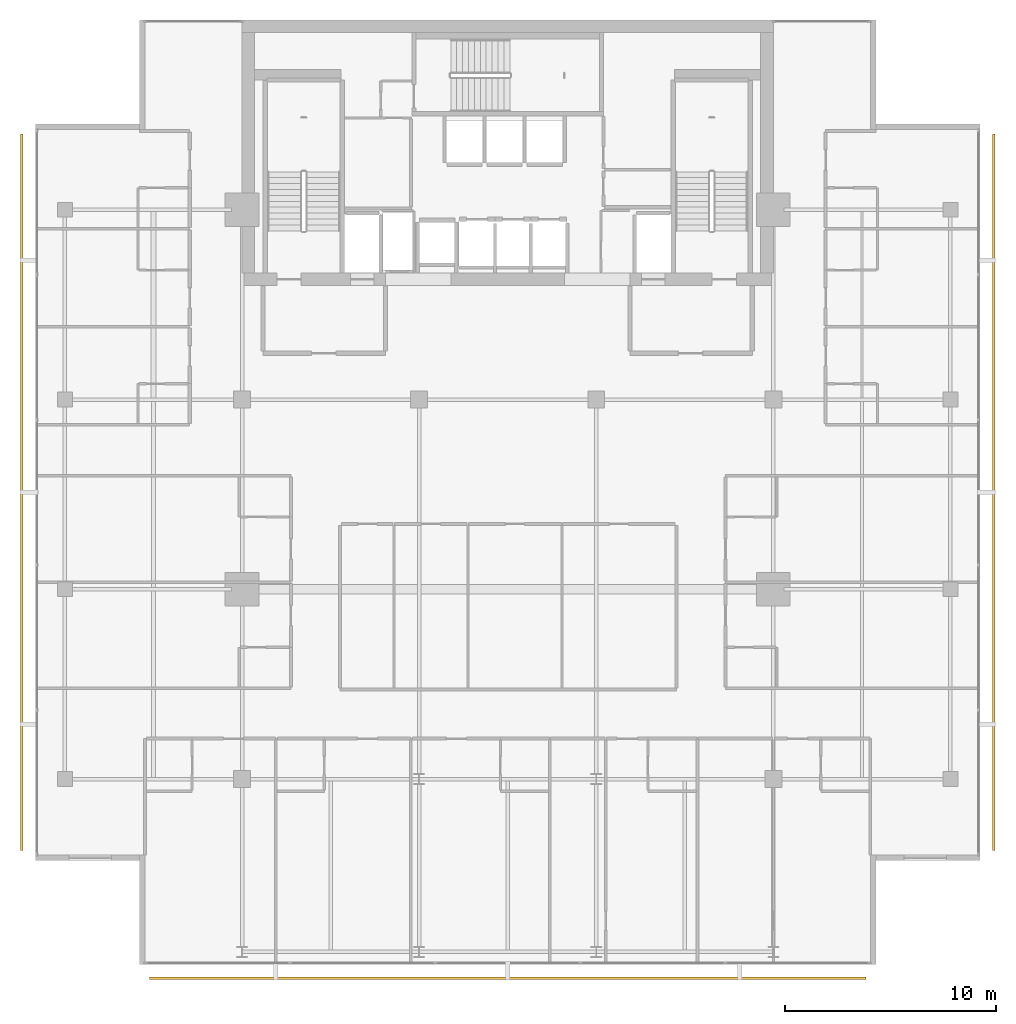
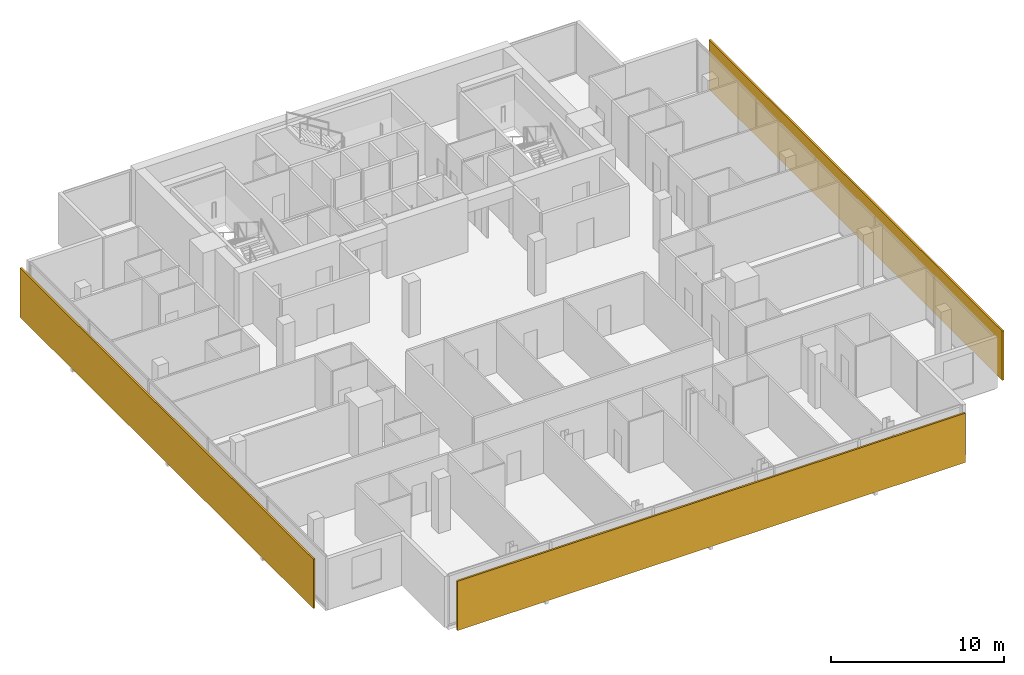
# One storey, part 25 of 26: 3 shading devices.
"""IFC4 building model written with IfcOpenShell, lengths in metres."""

import ifcopenshell
import ifcopenshell.guid

model = None  # the IFC model being written
_history = None  # IfcOwnerHistory: only IFC2X3 demands one
_inside = {}  # id of a spatial element -> (the spatial element, [elements in it])
_under = {}  # id of a project, library or spatial element -> (it, [spatial elements below it])
_declared = {}  # id of a project -> (the project, [libraries it declares])
_typed = {}  # id of a type object -> (the type object, [elements of that type])
_made_of = {}  # id of a material, layer set ... -> (it, [elements and type objects made of it])


def new_model(schema):
    """Start an empty IFC model of exactly this schema.

    Asked for "IFC4X3", IfcOpenShell would pick the latest addendum, in which some entities
    have other attributes; the version numbers below select the first issue.
    IFC2X3 requires an IfcOwnerHistory on every rooted entity: one is made here for all.
    """
    global model, _history
    if schema == "IFC4X3":
        model = ifcopenshell.file(schema_version=(4, 3, 0, 0))
    else:
        model = ifcopenshell.file(schema=schema)
    _inside.clear()
    _under.clear()
    _declared.clear()
    _typed.clear()
    _made_of.clear()
    _history = None
    if model.schema == "IFC2X3":
        org = make("IfcOrganization", Name="unknown")
        user = make(
            "IfcPersonAndOrganization",
            ThePerson=make("IfcPerson", FamilyName="unknown"),
            TheOrganization=org,
        )
        app = make(
            "IfcApplication",
            ApplicationDeveloper=org,
            Version="unknown",
            ApplicationFullName="unknown",
            ApplicationIdentifier="unknown",
        )
        _history = make(
            "IfcOwnerHistory",
            OwningUser=user,
            OwningApplication=app,
            ChangeAction="ADDED",
            CreationDate=0,
        )
    return model


def make(cls, **values):
    """One entity of the class cls with the attributes given. An attribute that is None is left unset."""
    return model.create_entity(
        cls, **{name: value for name, value in values.items() if value is not None}
    )


def rooted(cls, **values):
    """An entity with a GlobalId (a new one), such as an element, a storey or a relation."""
    return make(cls, GlobalId=ifcopenshell.guid.new(), OwnerHistory=_history, **values)


def si_unit(unit_type, name, prefix=None):
    """IfcSIUnit, for example si_unit("LENGTHUNIT", "METRE", prefix="MILLI")."""
    return make("IfcSIUnit", UnitType=unit_type, Prefix=prefix, Name=name)


def assignment(units):
    """IfcUnitAssignment: the units of a project."""
    return None if units is None else make("IfcUnitAssignment", Units=units)


def point(xyz):
    """IfcCartesianPoint."""
    return None if xyz is None else make("IfcCartesianPoint", Coordinates=xyz)


def direction(xyz):
    """IfcDirection."""
    return None if xyz is None else make("IfcDirection", DirectionRatios=xyz)


def frame(location, z_axis=None, x_axis=None):
    """IfcAxis2Placement3D, a coordinate frame: its origin and axes. An axis left out is left unset."""
    return make(
        "IfcAxis2Placement3D",
        Location=point(location),
        Axis=direction(z_axis),
        RefDirection=direction(x_axis),
    )


def frame_2d(location, x_axis=None):
    """IfcAxis2Placement2D, a coordinate frame in the plane: its origin and x axis."""
    return make(
        "IfcAxis2Placement2D", Location=point(location), RefDirection=direction(x_axis)
    )


def origin():
    """The frame at (0, 0, 0) with its axes left unset."""
    return frame((0.0, 0.0, 0.0))


def origin_2d():
    """The frame at (0, 0) in the plane with its x axis left unset."""
    return frame_2d((0.0, 0.0))


def place(relative_to, where):
    """IfcLocalPlacement: puts the frame where relative to a parent placement (None: the world)."""
    return make(
        "IfcLocalPlacement", PlacementRelTo=relative_to, RelativePlacement=where
    )


def context(
    kind, dimensions, precision=None, world=None, true_north=None, identifier=None
):
    """IfcGeometricRepresentationContext, for example the 3D "Model" context."""
    return make(
        "IfcGeometricRepresentationContext",
        ContextIdentifier=identifier,
        ContextType=kind,
        CoordinateSpaceDimension=dimensions,
        Precision=precision,
        WorldCoordinateSystem=world,
        TrueNorth=true_north,
    )


def subcontext(parent, identifier, kind, view, scale=None):
    """IfcGeometricRepresentationSubContext, for example "Body" below "Model"."""
    return make(
        "IfcGeometricRepresentationSubContext",
        ContextIdentifier=identifier,
        ContextType=kind,
        ParentContext=parent,
        TargetScale=scale,
        TargetView=view,
    )


def project(units=None, contexts=None):
    """IfcProject with its units and contexts."""
    return rooted(
        "IfcProject",
        Name="project",
        RepresentationContexts=contexts,
        UnitsInContext=assignment(units),
    )


def spatial(cls, under=None, at=None, **own):
    """A site, building, storey or space (cls), placed at a placement, below another one or the project."""
    s = rooted(cls, ObjectPlacement=at, **own)
    if under is not None:
        _under.setdefault(under.id(), (under, []))[1].append(s)
    return s


def profile(cls, at=None, kind="AREA", **sizes):
    """A parametric profile (cls). Its sizes go by their IFC names, for example OverallWidth=200.0."""
    return make(cls, ProfileType=kind, Position=at, **sizes)


def rectangle(**sizes):
    """IfcRectangleProfileDef."""
    return profile("IfcRectangleProfileDef", **sizes)


def extrude(swept, where, along, depth):
    """IfcExtrudedAreaSolid: the profile swept, set in the frame where, extruded along a direction by depth."""
    return make(
        "IfcExtrudedAreaSolid",
        SweptArea=swept,
        Position=where,
        ExtrudedDirection=direction(along),
        Depth=depth,
    )


def shape(context_of_items, identifier, shape_type, items):
    """IfcShapeRepresentation: the items that make up one representation, for example the "Body"."""
    return make(
        "IfcShapeRepresentation",
        ContextOfItems=context_of_items,
        RepresentationIdentifier=identifier,
        RepresentationType=shape_type,
        Items=items,
    )


def material(Name=None, Category=None):
    """IfcMaterial."""
    return make("IfcMaterial", Name=Name, Category=Category)


def layer(
    of_material, thickness, ventilated=None, Name=None, Category=None, Priority=None
):
    """IfcMaterialLayer: one layer of a wall or slab, of a material (None: an air gap)."""
    return make(
        "IfcMaterialLayer",
        Material=of_material,
        LayerThickness=thickness,
        IsVentilated=ventilated,
        Name=Name,
        Category=Category,
        Priority=Priority,
    )


def layer_set(layers, Name=None):
    """IfcMaterialLayerSet."""
    return make("IfcMaterialLayerSet", MaterialLayers=layers, LayerSetName=Name)


def made_of(thing, what):
    """Note that an element or type object is made of a material, layer set ...; save() writes the relation."""
    if what is not None:
        _made_of.setdefault(what.id(), (what, []))[1].append(thing)
    return thing


def type_object(cls, material=None, **own):
    """A type object (cls), such as IfcWallType, which elements share."""
    return made_of(rooted(cls, **own), material)


def element(
    cls,
    number,
    at=None,
    inside=None,
    cuts=None,
    type_object=None,
    material=None,
    context=None,
    identifier="Body",
    shape_type=None,
    held_by="IfcProductDefinitionShape",
    body=None,
    shapes=None,
    **own,
):
    """One element of the class cls, such as IfcWall. Its Tag is "e" and its number.

    at: its placement. inside: the storey or other place that contains it. cuts: it is an
    opening in that element (IfcRelVoidsElement). A single representation is given by context,
    identifier, shape_type and body (its items); several are given by shapes. held_by: the class
    of the entity that holds the representations. save() writes the other relations.
    """
    e = rooted(cls, Tag="e%d" % number, ObjectPlacement=at, **own)
    if body is not None:
        shapes = [shape(context, identifier, shape_type, body)]
    if shapes is not None:
        e.Representation = make(held_by, Representations=shapes)
    if inside is not None:
        _inside.setdefault(inside.id(), (inside, []))[1].append(e)
    if cuts is not None:
        rooted(
            "IfcRelVoidsElement", RelatingBuildingElement=cuts, RelatedOpeningElement=e
        )
    if type_object is not None:
        _typed.setdefault(type_object.id(), (type_object, []))[1].append(e)
    return made_of(e, material)


def aggregate(whole, parts):
    """IfcRelAggregates: a whole, such as a stair, and the parts it consists of."""
    return rooted("IfcRelAggregates", RelatingObject=whole, RelatedObjects=parts)


def save(model, path):
    """Write the relations noted so far, then the file.

    IfcRelAggregates (storeys below a building ...), IfcRelContainedInSpatialStructure (elements
    in a storey), IfcRelDefinesByType, IfcRelAssociatesMaterial and IfcRelDeclares: one each for
    every whole, place, type object, material and project.
    """
    for whole, parts in _under.values():
        aggregate(whole, parts)
    for where, things in _inside.values():
        rooted(
            "IfcRelContainedInSpatialStructure",
            RelatedElements=things,
            RelatingStructure=where,
        )
    for kind, things in _typed.values():
        rooted("IfcRelDefinesByType", RelatedObjects=things, RelatingType=kind)
    for what, things in _made_of.values():
        rooted("IfcRelAssociatesMaterial", RelatedObjects=things, RelatingMaterial=what)
    for by, libraries in _declared.values():
        rooted("IfcRelDeclares", RelatingContext=by, RelatedDefinitions=libraries)
    model.write(path)


model = new_model("IFC4")

# Units and contexts
model_context = context("Model", 3, precision=1e-05, world=origin(), true_north=direction((0.0, 1.0)))
body_context = subcontext(model_context, "Body", "Model", "MODEL_VIEW")
ifc_project = project(units=[si_unit("LENGTHUNIT", "METRE"), si_unit("AREAUNIT", "SQUARE_METRE"), si_unit("VOLUMEUNIT", "CUBIC_METRE"), si_unit("PLANEANGLEUNIT", "RADIAN"), si_unit("MASSUNIT", "GRAM", prefix="KILO")], contexts=[model_context])

# Site, building, storey
site_placement = place(None, origin())
site = spatial("IfcSite", under=ifc_project, at=site_placement, CompositionType="ELEMENT")
building_placement = place(site_placement, origin())
building = spatial("IfcBuilding", under=site, at=building_placement, Name="Maruvema Waterfront Hotel and Observation Tower", CompositionType="ELEMENT")
storey_placement = place(building_placement, frame((0.0, 0.0, 285.60009765625)))
storey = spatial("IfcBuildingStorey", under=building, at=storey_placement, Name="L70", CompositionType="ELEMENT", Elevation=285.60009765625)

# Shading devices
ifc_material = material(Name="Honed travertine stone and anodised architectural bronze", Category="masonry")
ifc_layer = layer(ifc_material, 0.1201171875, Name="Ventilated Outer Skin Cobogo Stone-and-Bronze Screen 120 mm")
ifc_layer_set = layer_set([ifc_layer], Name="Honed travertine stone and anodised architectural bronze")
shading_device_type = type_object("IfcShadingDeviceType", Name="Ventilated Outer Skin Cobogo Stone-and-Bronze Screen 120 mm", PredefinedType="USERDEFINED", material=ifc_layer_set)
for number, where, z_axis, x_axis, name in (
    (1, (37.800048828125, 8.550048828125, 0.06005859375), (0.0, 0.0, 1.0), (1.0, 0.0, 0.0), "L70 Ventilated Double-Skin Outer Cobogo Screen OS-L70-S"),
    (2, (60.85009765625, 31.60009765625, 0.06005859375), (0.0, 0.0, 1.0), (0.0, 1.0, 0.0), "L70 Ventilated Double-Skin Outer Cobogo Screen OS-L70-E"),
    (3, (14.75, 31.60009765625, 0.06005859375), (0.0, 0.0, 1.0), (0.0, -1.0, 0.0), "L70 Ventilated Double-Skin Outer Cobogo Screen OS-L70-W"),
):
    element("IfcShadingDevice", number, at=place(storey_placement, frame(where, z_axis=z_axis, x_axis=x_axis)), inside=storey, type_object=shading_device_type, Name=name, ObjectType="OUTER SKIN SCREEN", PredefinedType="USERDEFINED", context=body_context, shape_type="SweptSolid", body=[
        extrude(rectangle(XDim=34.0, YDim=0.1201171875, at=origin_2d()), origin(), (0.0, 0.0, 1.0), 3.489990234375),
    ])

save(model, "model.ifc")
